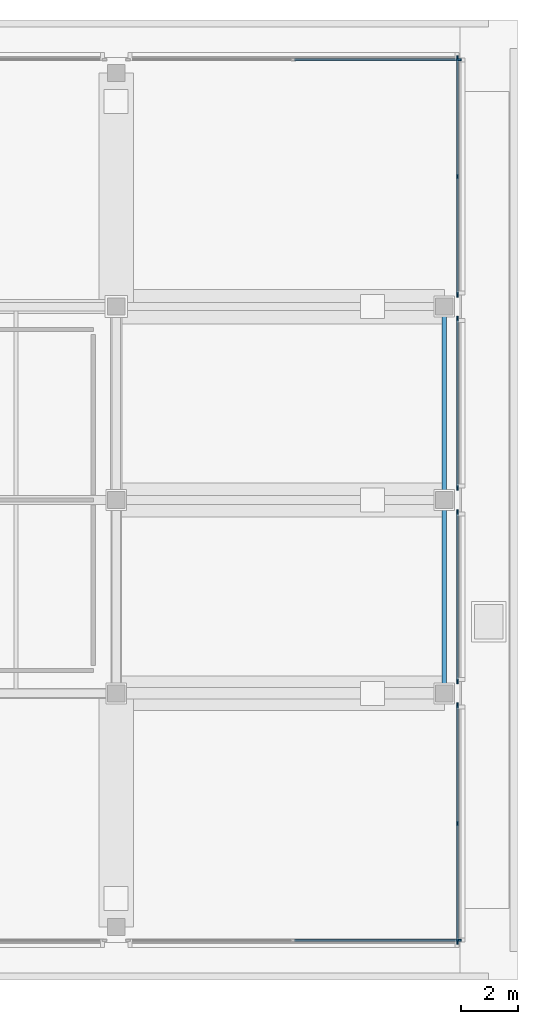
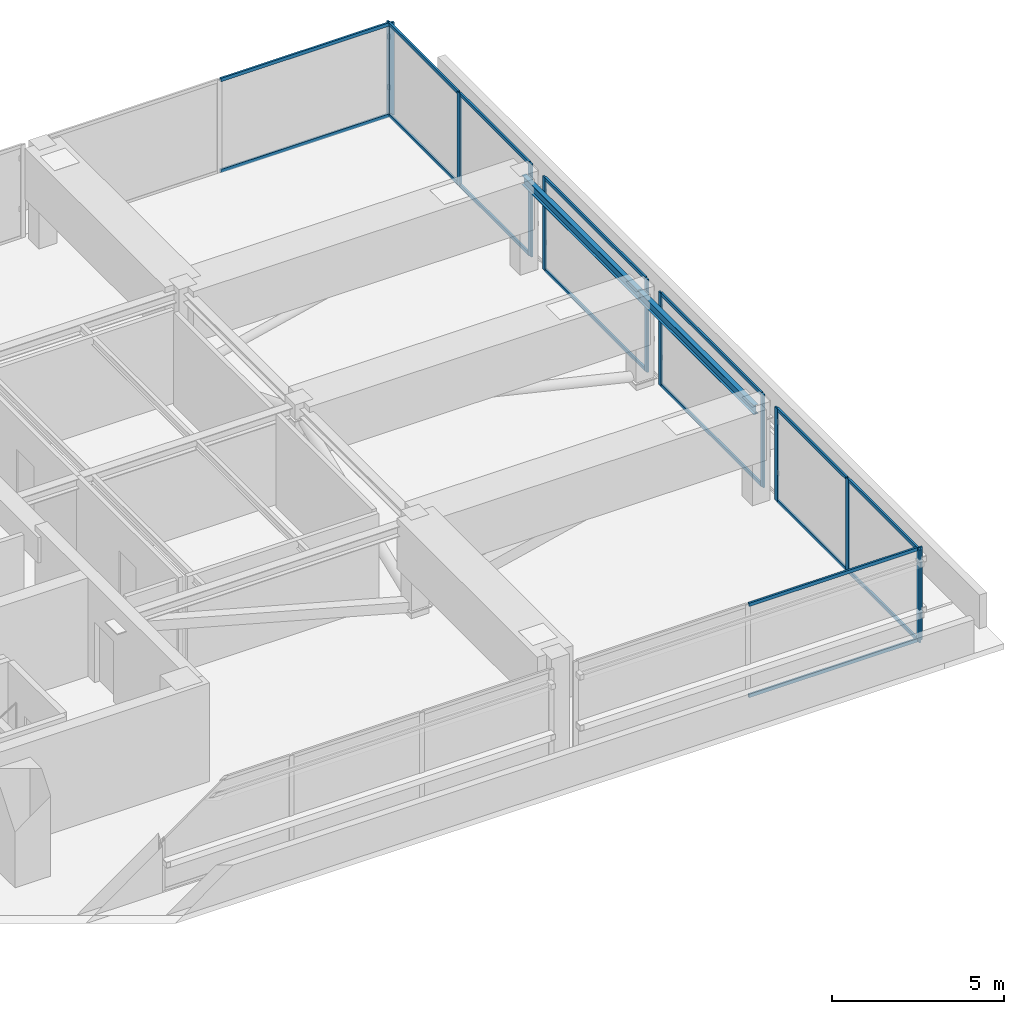
# One storey, part 4 of 11: 28 members, 2 beams, 6 elements without a shape of their own.
"""IFC4 building model written with IfcOpenShell, lengths in metres."""

from ifc_helpers import new_model, si_unit, direction, frame, origin, origin_2d, place, context, subcontext, project, spatial, rectangle, i_section, extrude, material, layer, layer_set, material_profile, profile_set, type_object, element, aggregate, save


model = new_model("IFC4")

# Units and contexts
model_context = context("Model", 3, precision=1e-05, world=origin(), true_north=direction((0.0, 1.0)))
body_context = subcontext(model_context, "Body", "Model", "MODEL_VIEW")
ifc_project = project(units=[si_unit("LENGTHUNIT", "METRE"), si_unit("AREAUNIT", "SQUARE_METRE"), si_unit("VOLUMEUNIT", "CUBIC_METRE"), si_unit("PLANEANGLEUNIT", "RADIAN"), si_unit("MASSUNIT", "GRAM", prefix="KILO")], contexts=[model_context])

# Site, building, storey
site_placement = place(None, origin())
site = spatial("IfcSite", under=ifc_project, at=site_placement, CompositionType="ELEMENT")
building_placement = place(site_placement, origin())
building = spatial("IfcBuilding", under=site, at=building_placement, Name="Kinhvarn Gate Tower", CompositionType="ELEMENT")
storey_placement = place(building_placement, frame((0.0, 0.0, 307.550048828125)))
storey = spatial("IfcBuildingStorey", under=building, at=storey_placement, Name="L81", CompositionType="ELEMENT", Elevation=307.550048828125)

# Curtain wall, member
ifc_material_1 = material(Name="Anodised aluminium AW-6063", Category="aluminium")
ifc_layer = layer(ifc_material_1, 0.199951171875)
ifc_layer_set = layer_set([ifc_layer], Name="Anodised aluminium AW-6063")
curtain_wall_type = type_object("IfcCurtainWallType", Name="CW-SYS-6", PredefinedType="NOTDEFINED", material=ifc_layer_set)
curtain_wall_1_placement = place(storey_placement, origin())
curtain_wall_1 = element("IfcCurtainWall", 1, at=curtain_wall_1_placement, inside=storey, type_object=curtain_wall_type, Name="Curtain Wall CW6 (L81)", PredefinedType="NOTDEFINED")
ifc_material_profile_1 = material_profile(ifc_material_1, rectangle(XDim=0.06494140625, YDim=0.159912109375, at=origin_2d()), Name="ALU 65x160")
ifc_profile_set_1 = profile_set([ifc_material_profile_1], Name="Anodised aluminium AW-6063")
member_type_1 = type_object("IfcMemberType", Name="CW-MUL-160", PredefinedType="MULLION", material=ifc_profile_set_1)
member_1_placement = place(storey_placement, frame((39.467529296875, 9.889892578125, 0.0), z_axis=(0.0, 0.0, 1.0), x_axis=(0.0, 1.0, 0.0)))
member_1 = element("IfcMember", 2, at=member_1_placement, type_object=member_type_1, Name="CW6 mullion 3", PredefinedType="MULLION", context=body_context, shape_type="SweptSolid", body=[
    extrude(rectangle(XDim=0.06494140625, YDim=0.159912109375, at=origin_2d()), origin(), (0.0, 0.0, 1.0), 3.300048828125),
])

curtain_wall_2_placement = place(storey_placement, origin())
curtain_wall_2 = element("IfcCurtainWall", 3, at=curtain_wall_2_placement, inside=storey, type_object=curtain_wall_type, Name="Curtain Wall CW6 (L81)", PredefinedType="NOTDEFINED")
member_2_placement = place(storey_placement, frame((39.467529296875, 40.610107421875, 0.0), z_axis=(0.0, 0.0, 1.0), x_axis=(0.0, -1.0, 0.0)))
member_2 = element("IfcMember", 4, at=member_2_placement, type_object=member_type_1, Name="CW6 mullion 1", PredefinedType="MULLION", context=body_context, shape_type="SweptSolid", body=[
    extrude(rectangle(XDim=0.06494140625, YDim=0.159912109375, at=origin_2d()), origin(), (0.0, 0.0, 1.0), 3.300048828125),
])

# Curtain wall, members
curtain_wall_3_placement = place(storey_placement, origin())
curtain_wall_3 = element("IfcCurtainWall", 5, at=curtain_wall_3_placement, inside=storey, type_object=curtain_wall_type, Name="Curtain Wall CW6 (L81)", PredefinedType="NOTDEFINED")
member_3_placement = place(storey_placement, frame((39.409912109375, 9.83251953125, 0.0), z_axis=(0.0, 0.0, 1.0), x_axis=(-1.0, 0.0, 0.0)))
member_3 = element("IfcMember", 6, at=member_3_placement, type_object=member_type_1, Name="CW6 mullion 1", PredefinedType="MULLION", context=body_context, shape_type="SweptSolid", body=[
    extrude(rectangle(XDim=0.06494140625, YDim=0.159912109375, at=origin_2d()), origin(), (0.0, 0.0, 1.0), 3.300048828125),
])
member_4_placement = place(storey_placement, frame((39.409912109375, 13.9599609375, 0.0), z_axis=(0.0, 0.0, 1.0), x_axis=(-1.0, 0.0, 0.0)))
member_4 = element("IfcMember", 7, at=member_4_placement, type_object=member_type_1, Name="CW6 mullion 2", PredefinedType="MULLION", context=body_context, shape_type="SweptSolid", body=[
    extrude(rectangle(XDim=0.06494140625, YDim=0.159912109375, at=origin_2d()), origin(), (0.0, 0.0, 1.0), 3.300048828125),
])
member_5_placement = place(storey_placement, frame((39.409912109375, 18.08740234375, 0.0), z_axis=(0.0, 0.0, 1.0), x_axis=(-1.0, 0.0, 0.0)))
member_5 = element("IfcMember", 8, at=member_5_placement, type_object=member_type_1, Name="CW6 mullion 3", PredefinedType="MULLION", context=body_context, shape_type="SweptSolid", body=[
    extrude(rectangle(XDim=0.06494140625, YDim=0.159912109375, at=origin_2d()), origin(), (0.0, 0.0, 1.0), 3.300048828125),
])

curtain_wall_4_placement = place(storey_placement, origin())
curtain_wall_4 = element("IfcCurtainWall", 9, at=curtain_wall_4_placement, inside=storey, type_object=curtain_wall_type, Name="Curtain Wall CW6 (L81)", PredefinedType="NOTDEFINED")
member_6_placement = place(storey_placement, frame((39.409912109375, 18.91259765625, 0.0), z_axis=(0.0, 0.0, 1.0), x_axis=(-1.0, 0.0, 0.0)))
member_6 = element("IfcMember", 10, at=member_6_placement, type_object=member_type_1, Name="CW6 mullion 1", PredefinedType="MULLION", context=body_context, shape_type="SweptSolid", body=[
    extrude(rectangle(XDim=0.06494140625, YDim=0.159912109375, at=origin_2d()), origin(), (0.0, 0.0, 1.0), 3.300048828125),
])
member_7_placement = place(storey_placement, frame((39.409912109375, 24.83740234375, 0.0), z_axis=(0.0, 0.0, 1.0), x_axis=(-1.0, 0.0, 0.0)))
member_7 = element("IfcMember", 11, at=member_7_placement, type_object=member_type_1, Name="CW6 mullion 2", PredefinedType="MULLION", context=body_context, shape_type="SweptSolid", body=[
    extrude(rectangle(XDim=0.06494140625, YDim=0.159912109375, at=origin_2d()), origin(), (0.0, 0.0, 1.0), 3.300048828125),
])

curtain_wall_5_placement = place(storey_placement, origin())
curtain_wall_5 = element("IfcCurtainWall", 12, at=curtain_wall_5_placement, inside=storey, type_object=curtain_wall_type, Name="Curtain Wall CW6 (L81)", PredefinedType="NOTDEFINED")
member_8_placement = place(storey_placement, frame((39.409912109375, 25.66259765625, 0.0), z_axis=(0.0, 0.0, 1.0), x_axis=(-1.0, 0.0, 0.0)))
member_8 = element("IfcMember", 13, at=member_8_placement, type_object=member_type_1, Name="CW6 mullion 1", PredefinedType="MULLION", context=body_context, shape_type="SweptSolid", body=[
    extrude(rectangle(XDim=0.06494140625, YDim=0.159912109375, at=origin_2d()), origin(), (0.0, 0.0, 1.0), 3.300048828125),
])
member_9_placement = place(storey_placement, frame((39.409912109375, 31.58740234375, 0.0), z_axis=(0.0, 0.0, 1.0), x_axis=(-1.0, 0.0, 0.0)))
member_9 = element("IfcMember", 14, at=member_9_placement, type_object=member_type_1, Name="CW6 mullion 2", PredefinedType="MULLION", context=body_context, shape_type="SweptSolid", body=[
    extrude(rectangle(XDim=0.06494140625, YDim=0.159912109375, at=origin_2d()), origin(), (0.0, 0.0, 1.0), 3.300048828125),
])

curtain_wall_6_placement = place(storey_placement, origin())
curtain_wall_6 = element("IfcCurtainWall", 15, at=curtain_wall_6_placement, inside=storey, type_object=curtain_wall_type, Name="Curtain Wall CW6 (L81)", PredefinedType="NOTDEFINED")
member_10_placement = place(storey_placement, frame((39.409912109375, 32.41259765625, 0.0), z_axis=(0.0, 0.0, 1.0), x_axis=(-1.0, 0.0, 0.0)))
member_10 = element("IfcMember", 16, at=member_10_placement, type_object=member_type_1, Name="CW6 mullion 1", PredefinedType="MULLION", context=body_context, shape_type="SweptSolid", body=[
    extrude(rectangle(XDim=0.06494140625, YDim=0.159912109375, at=origin_2d()), origin(), (0.0, 0.0, 1.0), 3.300048828125),
])
member_11_placement = place(storey_placement, frame((39.409912109375, 36.5400390625, 0.0), z_axis=(0.0, 0.0, 1.0), x_axis=(-1.0, 0.0, 0.0)))
member_11 = element("IfcMember", 17, at=member_11_placement, type_object=member_type_1, Name="CW6 mullion 2", PredefinedType="MULLION", context=body_context, shape_type="SweptSolid", body=[
    extrude(rectangle(XDim=0.06494140625, YDim=0.159912109375, at=origin_2d()), origin(), (0.0, 0.0, 1.0), 3.300048828125),
])
member_12_placement = place(storey_placement, frame((39.409912109375, 40.66748046875, 0.0), z_axis=(0.0, 0.0, 1.0), x_axis=(-1.0, 0.0, 0.0)))
member_12 = element("IfcMember", 18, at=member_12_placement, type_object=member_type_1, Name="CW6 mullion 3", PredefinedType="MULLION", context=body_context, shape_type="SweptSolid", body=[
    extrude(rectangle(XDim=0.06494140625, YDim=0.159912109375, at=origin_2d()), origin(), (0.0, 0.0, 1.0), 3.300048828125),
])

# Member
ifc_material_profile_2 = material_profile(ifc_material_1, rectangle(XDim=0.06494140625, YDim=0.1201171875, at=origin_2d()), Name="ALU 65x120")
ifc_profile_set_2 = profile_set([ifc_material_profile_2], Name="Anodised aluminium AW-6063")
member_type_2 = type_object("IfcMemberType", Name="CW-TRN-120", PredefinedType="USERDEFINED", material=ifc_profile_set_2)
member_13_placement = place(storey_placement, frame((33.722412109375, 9.889892578125, 0.032470703125), z_axis=(1.0, 0.0, 0.0), x_axis=(0.0, 1.0, 0.0)))
member_13 = element("IfcMember", 19, at=member_13_placement, type_object=member_type_2, Name="CW6 transom 2.1", ObjectType="TRANSOM", PredefinedType="USERDEFINED", context=body_context, shape_type="SweptSolid", body=[
    extrude(rectangle(XDim=0.06494140625, YDim=0.1201171875, at=origin_2d()), origin(), (0.0, 0.0, 1.0), 5.712646484375),
])

member_14_placement = place(storey_placement, frame((33.722412109375, 9.889892578125, 3.267333984375), z_axis=(1.0, 0.0, 0.0), x_axis=(0.0, 1.0, 0.0)))
member_14 = element("IfcMember", 20, at=member_14_placement, type_object=member_type_2, Name="CW6 transom 2.2", ObjectType="TRANSOM", PredefinedType="USERDEFINED", context=body_context, shape_type="SweptSolid", body=[
    extrude(rectangle(XDim=0.06494140625, YDim=0.1201171875, at=origin_2d()), origin(), (0.0, 0.0, 1.0), 5.712646484375),
])

aggregate(curtain_wall_1, [member_1, member_13, member_14])

member_15_placement = place(storey_placement, frame((39.43505859375, 40.610107421875, 0.032470703125), z_axis=(-1.0, 0.0, 0.0), x_axis=(0.0, -1.0, 0.0)))
member_15 = element("IfcMember", 21, at=member_15_placement, type_object=member_type_2, Name="CW6 transom 1.1", ObjectType="TRANSOM", PredefinedType="USERDEFINED", context=body_context, shape_type="SweptSolid", body=[
    extrude(rectangle(XDim=0.06494140625, YDim=0.1201171875, at=origin_2d()), origin(), (0.0, 0.0, 1.0), 5.712646484375),
])

member_16_placement = place(storey_placement, frame((39.43505859375, 40.610107421875, 3.267333984375), z_axis=(-1.0, 0.0, 0.0), x_axis=(0.0, -1.0, 0.0)))
member_16 = element("IfcMember", 22, at=member_16_placement, type_object=member_type_2, Name="CW6 transom 1.2", ObjectType="TRANSOM", PredefinedType="USERDEFINED", context=body_context, shape_type="SweptSolid", body=[
    extrude(rectangle(XDim=0.06494140625, YDim=0.1201171875, at=origin_2d()), origin(), (0.0, 0.0, 1.0), 5.712646484375),
])

aggregate(curtain_wall_2, [member_2, member_15, member_16])

member_17_placement = place(storey_placement, frame((39.409912109375, 9.864990234375, 0.032470703125), z_axis=(0.0, 1.0, 0.0), x_axis=(-1.0, 0.0, 0.0)))
member_17 = element("IfcMember", 23, at=member_17_placement, type_object=member_type_2, Name="CW6 transom 1.1", ObjectType="TRANSOM", PredefinedType="USERDEFINED", context=body_context, shape_type="SweptSolid", body=[
    extrude(rectangle(XDim=0.06494140625, YDim=0.1201171875, at=origin_2d()), origin(), (0.0, 0.0, 1.0), 4.0625),
])

member_18_placement = place(storey_placement, frame((39.409912109375, 9.864990234375, 3.267333984375), z_axis=(0.0, 1.0, 0.0), x_axis=(-1.0, 0.0, 0.0)))
member_18 = element("IfcMember", 24, at=member_18_placement, type_object=member_type_2, Name="CW6 transom 1.2", ObjectType="TRANSOM", PredefinedType="USERDEFINED", context=body_context, shape_type="SweptSolid", body=[
    extrude(rectangle(XDim=0.06494140625, YDim=0.1201171875, at=origin_2d()), origin(), (0.0, 0.0, 1.0), 4.0625),
])

member_19_placement = place(storey_placement, frame((39.409912109375, 13.992431640625, 0.032470703125), z_axis=(0.0, 1.0, 0.0), x_axis=(-1.0, 0.0, 0.0)))
member_19 = element("IfcMember", 25, at=member_19_placement, type_object=member_type_2, Name="CW6 transom 2.1", ObjectType="TRANSOM", PredefinedType="USERDEFINED", context=body_context, shape_type="SweptSolid", body=[
    extrude(rectangle(XDim=0.06494140625, YDim=0.1201171875, at=origin_2d()), origin(), (0.0, 0.0, 1.0), 4.0625),
])

member_20_placement = place(storey_placement, frame((39.409912109375, 13.992431640625, 3.267333984375), z_axis=(0.0, 1.0, 0.0), x_axis=(-1.0, 0.0, 0.0)))
member_20 = element("IfcMember", 26, at=member_20_placement, type_object=member_type_2, Name="CW6 transom 2.2", ObjectType="TRANSOM", PredefinedType="USERDEFINED", context=body_context, shape_type="SweptSolid", body=[
    extrude(rectangle(XDim=0.06494140625, YDim=0.1201171875, at=origin_2d()), origin(), (0.0, 0.0, 1.0), 4.0625),
])

aggregate(curtain_wall_3, [member_3, member_4, member_5, member_17, member_18, member_19, member_20])

member_21_placement = place(storey_placement, frame((39.409912109375, 18.945068359375, 0.032470703125), z_axis=(0.0, 1.0, 0.0), x_axis=(-1.0, 0.0, 0.0)))
member_21 = element("IfcMember", 27, at=member_21_placement, type_object=member_type_2, Name="CW6 transom 1.1", ObjectType="TRANSOM", PredefinedType="USERDEFINED", context=body_context, shape_type="SweptSolid", body=[
    extrude(rectangle(XDim=0.06494140625, YDim=0.1201171875, at=origin_2d()), origin(), (0.0, 0.0, 1.0), 5.85986328125),
])

member_22_placement = place(storey_placement, frame((39.409912109375, 18.945068359375, 3.267333984375), z_axis=(0.0, 1.0, 0.0), x_axis=(-1.0, 0.0, 0.0)))
member_22 = element("IfcMember", 28, at=member_22_placement, type_object=member_type_2, Name="CW6 transom 1.2", ObjectType="TRANSOM", PredefinedType="USERDEFINED", context=body_context, shape_type="SweptSolid", body=[
    extrude(rectangle(XDim=0.06494140625, YDim=0.1201171875, at=origin_2d()), origin(), (0.0, 0.0, 1.0), 5.85986328125),
])

aggregate(curtain_wall_4, [member_6, member_7, member_21, member_22])

member_23_placement = place(storey_placement, frame((39.409912109375, 25.695068359375, 0.032470703125), z_axis=(0.0, 1.0, 0.0), x_axis=(-1.0, 0.0, 0.0)))
member_23 = element("IfcMember", 29, at=member_23_placement, type_object=member_type_2, Name="CW6 transom 1.1", ObjectType="TRANSOM", PredefinedType="USERDEFINED", context=body_context, shape_type="SweptSolid", body=[
    extrude(rectangle(XDim=0.06494140625, YDim=0.1201171875, at=origin_2d()), origin(), (0.0, 0.0, 1.0), 5.85986328125),
])

member_24_placement = place(storey_placement, frame((39.409912109375, 25.695068359375, 3.267333984375), z_axis=(0.0, 1.0, 0.0), x_axis=(-1.0, 0.0, 0.0)))
member_24 = element("IfcMember", 30, at=member_24_placement, type_object=member_type_2, Name="CW6 transom 1.2", ObjectType="TRANSOM", PredefinedType="USERDEFINED", context=body_context, shape_type="SweptSolid", body=[
    extrude(rectangle(XDim=0.06494140625, YDim=0.1201171875, at=origin_2d()), origin(), (0.0, 0.0, 1.0), 5.85986328125),
])

aggregate(curtain_wall_5, [member_8, member_9, member_23, member_24])

member_25_placement = place(storey_placement, frame((39.409912109375, 32.445068359375, 0.032470703125), z_axis=(0.0, 1.0, 0.0), x_axis=(-1.0, 0.0, 0.0)))
member_25 = element("IfcMember", 31, at=member_25_placement, type_object=member_type_2, Name="CW6 transom 1.1", ObjectType="TRANSOM", PredefinedType="USERDEFINED", context=body_context, shape_type="SweptSolid", body=[
    extrude(rectangle(XDim=0.06494140625, YDim=0.1201171875, at=origin_2d()), origin(), (0.0, 0.0, 1.0), 4.0625),
])

member_26_placement = place(storey_placement, frame((39.409912109375, 32.445068359375, 3.267333984375), z_axis=(0.0, 1.0, 0.0), x_axis=(-1.0, 0.0, 0.0)))
member_26 = element("IfcMember", 32, at=member_26_placement, type_object=member_type_2, Name="CW6 transom 1.2", ObjectType="TRANSOM", PredefinedType="USERDEFINED", context=body_context, shape_type="SweptSolid", body=[
    extrude(rectangle(XDim=0.06494140625, YDim=0.1201171875, at=origin_2d()), origin(), (0.0, 0.0, 1.0), 4.0625),
])

member_27_placement = place(storey_placement, frame((39.409912109375, 36.572509765625, 0.032470703125), z_axis=(0.0, 1.0, 0.0), x_axis=(-1.0, 0.0, 0.0)))
member_27 = element("IfcMember", 33, at=member_27_placement, type_object=member_type_2, Name="CW6 transom 2.1", ObjectType="TRANSOM", PredefinedType="USERDEFINED", context=body_context, shape_type="SweptSolid", body=[
    extrude(rectangle(XDim=0.06494140625, YDim=0.1201171875, at=origin_2d()), origin(), (0.0, 0.0, 1.0), 4.0625),
])

member_28_placement = place(storey_placement, frame((39.409912109375, 36.572509765625, 3.267333984375), z_axis=(0.0, 1.0, 0.0), x_axis=(-1.0, 0.0, 0.0)))
member_28 = element("IfcMember", 34, at=member_28_placement, type_object=member_type_2, Name="CW6 transom 2.2", ObjectType="TRANSOM", PredefinedType="USERDEFINED", context=body_context, shape_type="SweptSolid", body=[
    extrude(rectangle(XDim=0.06494140625, YDim=0.1201171875, at=origin_2d()), origin(), (0.0, 0.0, 1.0), 4.0625),
])

aggregate(curtain_wall_6, [member_10, member_11, member_12, member_25, member_26, member_27, member_28])

# Beams
ifc_material_2 = material(Name="Steel S355", Category="steel")
ifc_material_profile_3 = material_profile(ifc_material_2, i_section(OverallWidth=0.159912109375, OverallDepth=0.330078125, WebThickness=0.007568359375, FlangeThickness=0.011474609375, at=origin_2d()), Name="IPE 330")
ifc_profile_set_3 = profile_set([ifc_material_profile_3], Name="Steel S355")
beam_type = type_object("IfcBeamType", Name="STL-IPE330", PredefinedType="JOIST", material=ifc_profile_set_3)
for number, where, z_axis, x_axis, name in (
    (35, (38.949951171875, 18.5, 3.135009765625), (0.0, 1.0, 0.0), (-1.0, 0.0, 0.0), "Floor Joist SB-03 (L81 CR-SPE1)"),
    (36, (38.949951171875, 25.25, 3.135009765625), (0.0, 1.0, 0.0), (-1.0, 0.0, 0.0), "Floor Joist SB-03 (L81 CR-SPE2)"),
):
    element("IfcBeam", number, at=place(storey_placement, frame(where, z_axis=z_axis, x_axis=x_axis)), inside=storey, type_object=beam_type, Name=name, PredefinedType="JOIST", context=body_context, shape_type="SweptSolid", body=[
        extrude(i_section(OverallWidth=0.159912109375, OverallDepth=0.330078125, WebThickness=0.007568359375, FlangeThickness=0.011474609375, at=origin_2d()), origin(), (0.0, 0.0, 1.0), 6.75),
    ])

save(model, "model.ifc")
